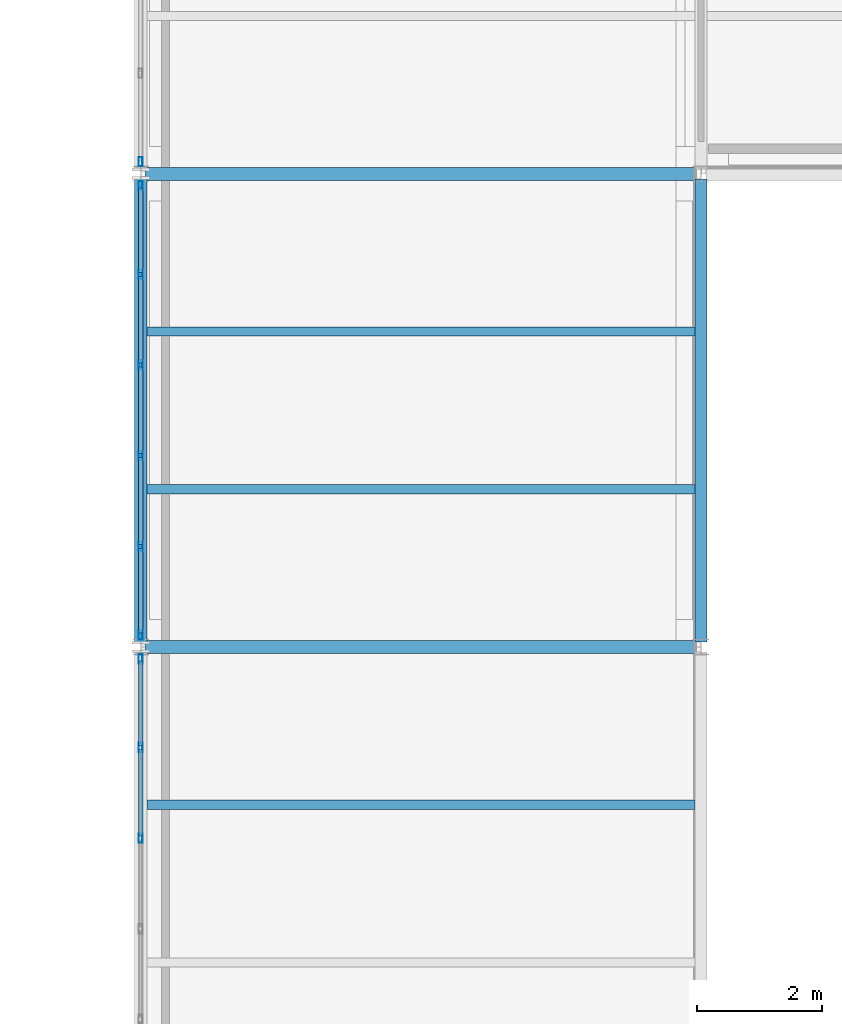
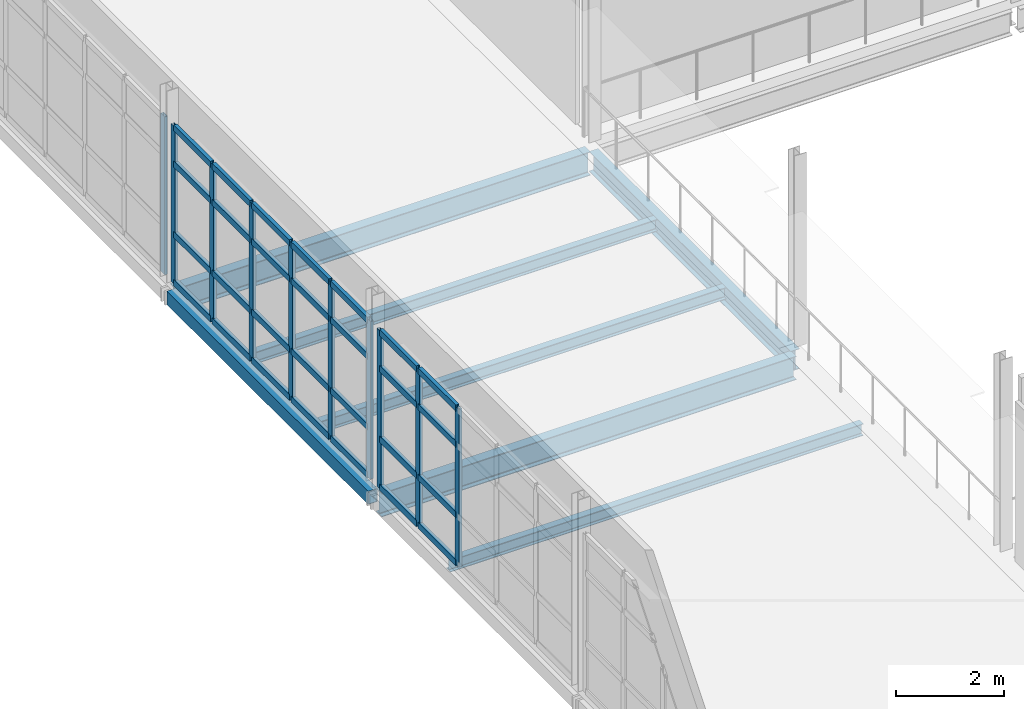
# One storey, part 20 of 48: 38 members, 7 beams, 3 elements without a shape of their own.
"""IFC4 building model written with IfcOpenShell, lengths in metres."""

from ifc_helpers import new_model, si_unit, direction, frame, origin, origin_2d, place, context, subcontext, project, spatial, hollow_rectangle, i_section, extrude, material, material_profile, profile_set, type_object, element, aggregate, save


model = new_model("IFC4")

# Units and contexts
model_context = context("Model", 3, precision=1e-05, world=origin(), true_north=direction((0.0, 1.0)))
body_context = subcontext(model_context, "Body", "Model", "MODEL_VIEW")
ifc_project = project(units=[si_unit("LENGTHUNIT", "METRE"), si_unit("AREAUNIT", "SQUARE_METRE"), si_unit("VOLUMEUNIT", "CUBIC_METRE"), si_unit("PLANEANGLEUNIT", "RADIAN"), si_unit("MASSUNIT", "GRAM", prefix="KILO")], contexts=[model_context])

# Site, building, storey
site_placement = place(None, origin())
site = spatial("IfcSite", under=ifc_project, at=site_placement, CompositionType="ELEMENT")
building_placement = place(site_placement, origin())
building = spatial("IfcBuilding", under=site, at=building_placement, Name="Caisbarro Railhouse Central Library", CompositionType="ELEMENT")
storey_placement = place(building_placement, frame((0.0, 0.0, 18.0)))
storey = spatial("IfcBuildingStorey", under=building, at=storey_placement, Name="L04", CompositionType="ELEMENT", Elevation=18.0)

# Beams
ifc_material_1 = material(Name="Steel ASTM A572 Grade 50", Category="steel")
ifc_material_profile_1 = material_profile(ifc_material_1, i_section(OverallWidth=0.208984375, OverallDepth=0.532958984375, WebThickness=0.01025390625, FlangeThickness=0.015625, FilletRadius=0.02001953125, at=origin_2d()), Name="W530X92.0")
ifc_profile_set_1 = profile_set([ifc_material_profile_1], Name="Steel ASTM A572 Grade 50")
beam_type_1 = type_object("IfcBeamType", Name="BM-G06", PredefinedType="BEAM", material=ifc_profile_set_1)
for number, where, z_axis, x_axis, name in (
    (1, (117.080078125, 83.60009765625, -0.486572265625), (1.0, 0.0, 0.0), (0.0, 1.0, 0.0), "G06 beam L04 #2081"),
    (2, (117.080078125, 91.199951171875, -0.486572265625), (1.0, 0.0, 0.0), (0.0, 1.0, 0.0), "G06 beam L04 #2082"),
):
    element("IfcBeam", number, at=place(storey_placement, frame(where, z_axis=z_axis, x_axis=x_axis)), inside=storey, type_object=beam_type_1, Name=name, PredefinedType="BEAM", context=body_context, shape_type="SweptSolid", body=[
        extrude(i_section(OverallWidth=0.208984375, OverallDepth=0.532958984375, WebThickness=0.01025390625, FlangeThickness=0.015625, FilletRadius=0.02001953125, at=origin_2d()), origin(), (0.0, 0.0, 1.0), 8.83984375),
    ])
ifc_material_profile_2 = material_profile(ifc_material_1, i_section(OverallWidth=0.18994140625, OverallDepth=0.45703125, WebThickness=0.009033203125, FlangeThickness=0.014404296875, FilletRadius=0.01806640625, at=origin_2d()), Name="W460X74.0")
ifc_profile_set_2 = profile_set([ifc_material_profile_2], Name="Steel ASTM A572 Grade 50")
beam_type_2 = type_object("IfcBeamType", Name="BM-G08", PredefinedType="BEAM", material=ifc_profile_set_2)
beam_1_placement = place(storey_placement, frame((126.0, 83.679931640625, -0.448486328125), z_axis=(0.0, 1.0, 0.0), x_axis=(-1.0, 0.0, 0.0)))
element("IfcBeam", 3, at=beam_1_placement, inside=storey, type_object=beam_type_2, Name="G08 beam L04 #2102", PredefinedType="BEAM", context=body_context, shape_type="SweptSolid", body=[
    extrude(i_section(OverallWidth=0.18994140625, OverallDepth=0.45703125, WebThickness=0.009033203125, FlangeThickness=0.014404296875, FilletRadius=0.01806640625, at=origin_2d()), origin(), (0.0, 0.0, 1.0), 7.440185546875),
])
ifc_material_profile_3 = material_profile(ifc_material_1, i_section(OverallWidth=0.14794921875, OverallDepth=0.26611328125, WebThickness=0.007568359375, FlangeThickness=0.012939453125, FilletRadius=0.010009765625, at=origin_2d()), Name="W250X44.8")
ifc_profile_set_3 = profile_set([ifc_material_profile_3], Name="Steel ASTM A572 Grade 50")
beam_type_3 = type_object("IfcBeamType", Name="BM-J04", PredefinedType="JOIST", material=ifc_profile_set_3)
for number, where, z_axis, x_axis, name in (
    (4, (117.10009765625, 81.066650390625, -0.35302734375), (1.0, 0.0, 0.0), (0.0, 1.0, 0.0), "J04 beam L04 #2119"),
    (5, (117.10009765625, 86.13330078125, -0.35302734375), (1.0, 0.0, 0.0), (0.0, 1.0, 0.0), "J04 beam L04 #2120"),
    (6, (117.10009765625, 88.666748046875, -0.35302734375), (1.0, 0.0, 0.0), (0.0, 1.0, 0.0), "J04 beam L04 #2121"),
):
    element("IfcBeam", number, at=place(storey_placement, frame(where, z_axis=z_axis, x_axis=x_axis)), inside=storey, type_object=beam_type_3, Name=name, PredefinedType="JOIST", context=body_context, shape_type="SweptSolid", body=[
        extrude(i_section(OverallWidth=0.14794921875, OverallDepth=0.26611328125, WebThickness=0.007568359375, FlangeThickness=0.012939453125, FilletRadius=0.010009765625, at=origin_2d()), origin(), (0.0, 0.0, 1.0), 8.804931640625),
    ])
ifc_material_profile_4 = material_profile(ifc_material_1, hollow_rectangle(XDim=0.199951171875, YDim=0.300048828125, WallThickness=0.012451171875, at=origin_2d()), Name="HSS300X200X12.5")
ifc_profile_set_4 = profile_set([ifc_material_profile_4], Name="Steel ASTM A572 Grade 50")
beam_type_4 = type_object("IfcBeamType", Name="BM-SP02", PredefinedType="SPANDREL", material=ifc_profile_set_4)
beam_2_placement = place(storey_placement, frame((117.0, 83.679931640625, -0.3701171875), z_axis=(0.0, 1.0, 0.0), x_axis=(-1.0, 0.0, 0.0)))
element("IfcBeam", 7, at=beam_2_placement, inside=storey, type_object=beam_type_4, Name="SP02 beam L04 #2096", PredefinedType="SPANDREL", context=body_context, shape_type="SweptSolid", body=[
    extrude(hollow_rectangle(XDim=0.199951171875, YDim=0.300048828125, WallThickness=0.012451171875, at=origin_2d()), origin(), (0.0, 0.0, 1.0), 7.440185546875),
])

# Curtain wall, members
ifc_material_2 = material(Name="Anodised architectural aluminium", Category="aluminium")
curtain_wall_type = type_object("IfcCurtainWallType", Name="CW-CW02", PredefinedType="NOTDEFINED", material=ifc_material_2)
curtain_wall_1_placement = place(storey_placement, origin())
curtain_wall_1 = element("IfcCurtainWall", 8, at=curtain_wall_1_placement, inside=storey, type_object=curtain_wall_type, Name="CW02 curtain wall L04 #156", PredefinedType="NOTDEFINED")
ifc_material_profile_5 = material_profile(ifc_material_2, hollow_rectangle(XDim=0.06494140625, YDim=0.14990234375, WallThickness=0.00390625, at=origin_2d()), Name="ALU-MUL-65X150")
ifc_profile_set_5 = profile_set([ifc_material_profile_5], Name="Anodised architectural aluminium")
member_type_1 = type_object("IfcMemberType", Name="CWM-M02", PredefinedType="MULLION", material=ifc_profile_set_5)
member_1_placement = place(storey_placement, frame((117.0, 80.528076171875, 0.0), z_axis=(0.0, 0.0, 1.0), x_axis=(-1.0, 0.0, 0.0)))
member_1 = element("IfcMember", 9, at=member_1_placement, type_object=member_type_1, Name="CW02 mullion 4", PredefinedType="MULLION", context=body_context, shape_type="SweptSolid", body=[
    extrude(hollow_rectangle(XDim=0.06494140625, YDim=0.14990234375, WallThickness=0.00390625, at=origin_2d()), origin(), (0.0, 0.0, 1.0), 3.56005859375),
])
member_2_placement = place(storey_placement, frame((117.0, 81.98388671875, 0.0), z_axis=(0.0, 0.0, 1.0), x_axis=(-1.0, 0.0, 0.0)))
member_2 = element("IfcMember", 10, at=member_2_placement, type_object=member_type_1, Name="CW02 mullion 5", PredefinedType="MULLION", context=body_context, shape_type="SweptSolid", body=[
    extrude(hollow_rectangle(XDim=0.06494140625, YDim=0.14990234375, WallThickness=0.00390625, at=origin_2d()), origin(), (0.0, 0.0, 1.0), 3.56005859375),
])
member_3_placement = place(storey_placement, frame((117.0, 83.407470703125, 0.0), z_axis=(0.0, 0.0, 1.0), x_axis=(-1.0, 0.0, 0.0)))
member_3 = element("IfcMember", 11, at=member_3_placement, type_object=member_type_1, Name="CW02 mullion 6", PredefinedType="MULLION", context=body_context, shape_type="SweptSolid", body=[
    extrude(hollow_rectangle(XDim=0.06494140625, YDim=0.14990234375, WallThickness=0.00390625, at=origin_2d()), origin(), (0.0, 0.0, 1.0), 3.56005859375),
])

curtain_wall_2_placement = place(storey_placement, origin())
curtain_wall_2 = element("IfcCurtainWall", 12, at=curtain_wall_2_placement, inside=storey, type_object=curtain_wall_type, Name="CW02 curtain wall L04 #157", PredefinedType="NOTDEFINED")
member_4_placement = place(storey_placement, frame((117.0, 83.79248046875, 0.0), z_axis=(0.0, 0.0, 1.0), x_axis=(-1.0, 0.0, 0.0)))
member_4 = element("IfcMember", 13, at=member_4_placement, type_object=member_type_1, Name="CW02 mullion 1", PredefinedType="MULLION", context=body_context, shape_type="SweptSolid", body=[
    extrude(hollow_rectangle(XDim=0.06494140625, YDim=0.14990234375, WallThickness=0.00390625, at=origin_2d()), origin(), (0.0, 0.0, 1.0), 3.56005859375),
])
member_5_placement = place(storey_placement, frame((117.0, 85.216064453125, 0.0), z_axis=(0.0, 0.0, 1.0), x_axis=(-1.0, 0.0, 0.0)))
member_5 = element("IfcMember", 14, at=member_5_placement, type_object=member_type_1, Name="CW02 mullion 2", PredefinedType="MULLION", context=body_context, shape_type="SweptSolid", body=[
    extrude(hollow_rectangle(XDim=0.06494140625, YDim=0.14990234375, WallThickness=0.00390625, at=origin_2d()), origin(), (0.0, 0.0, 1.0), 3.56005859375),
])
member_6_placement = place(storey_placement, frame((117.0, 86.672119140625, 0.0), z_axis=(0.0, 0.0, 1.0), x_axis=(-1.0, 0.0, 0.0)))
member_6 = element("IfcMember", 15, at=member_6_placement, type_object=member_type_1, Name="CW02 mullion 3", PredefinedType="MULLION", context=body_context, shape_type="SweptSolid", body=[
    extrude(hollow_rectangle(XDim=0.06494140625, YDim=0.14990234375, WallThickness=0.00390625, at=origin_2d()), origin(), (0.0, 0.0, 1.0), 3.56005859375),
])
member_7_placement = place(storey_placement, frame((117.0, 88.1279296875, 0.0), z_axis=(0.0, 0.0, 1.0), x_axis=(-1.0, 0.0, 0.0)))
member_7 = element("IfcMember", 16, at=member_7_placement, type_object=member_type_1, Name="CW02 mullion 4", PredefinedType="MULLION", context=body_context, shape_type="SweptSolid", body=[
    extrude(hollow_rectangle(XDim=0.06494140625, YDim=0.14990234375, WallThickness=0.00390625, at=origin_2d()), origin(), (0.0, 0.0, 1.0), 3.56005859375),
])
member_8_placement = place(storey_placement, frame((117.0, 89.583984375, 0.0), z_axis=(0.0, 0.0, 1.0), x_axis=(-1.0, 0.0, 0.0)))
member_8 = element("IfcMember", 17, at=member_8_placement, type_object=member_type_1, Name="CW02 mullion 5", PredefinedType="MULLION", context=body_context, shape_type="SweptSolid", body=[
    extrude(hollow_rectangle(XDim=0.06494140625, YDim=0.14990234375, WallThickness=0.00390625, at=origin_2d()), origin(), (0.0, 0.0, 1.0), 3.56005859375),
])
member_9_placement = place(storey_placement, frame((117.0, 91.007568359375, 0.0), z_axis=(0.0, 0.0, 1.0), x_axis=(-1.0, 0.0, 0.0)))
member_9 = element("IfcMember", 18, at=member_9_placement, type_object=member_type_1, Name="CW02 mullion 6", PredefinedType="MULLION", context=body_context, shape_type="SweptSolid", body=[
    extrude(hollow_rectangle(XDim=0.06494140625, YDim=0.14990234375, WallThickness=0.00390625, at=origin_2d()), origin(), (0.0, 0.0, 1.0), 3.56005859375),
])

# Curtain wall, member
curtain_wall_3_placement = place(storey_placement, origin())
curtain_wall_3 = element("IfcCurtainWall", 19, at=curtain_wall_3_placement, inside=storey, type_object=curtain_wall_type, Name="CW02 curtain wall L04 #158", PredefinedType="NOTDEFINED")
member_10_placement = place(storey_placement, frame((117.0, 91.392578125, 0.0), z_axis=(0.0, 0.0, 1.0), x_axis=(-1.0, 0.0, 0.0)))
member_10 = element("IfcMember", 20, at=member_10_placement, type_object=member_type_1, Name="CW02 mullion 1", PredefinedType="MULLION", context=body_context, shape_type="SweptSolid", body=[
    extrude(hollow_rectangle(XDim=0.06494140625, YDim=0.14990234375, WallThickness=0.00390625, at=origin_2d()), origin(), (0.0, 0.0, 1.0), 3.56005859375),
])
aggregate(curtain_wall_3, [member_10])

# Member
ifc_material_profile_6 = material_profile(ifc_material_2, hollow_rectangle(XDim=0.074951171875, YDim=0.139892578125, WallThickness=0.00390625, at=origin_2d()), Name="ALU-TRN-75X140")
ifc_profile_set_6 = profile_set([ifc_material_profile_6], Name="Anodised architectural aluminium")
member_type_2 = type_object("IfcMemberType", Name="CWT-T01", PredefinedType="USERDEFINED", material=ifc_profile_set_6)
member_11_placement = place(storey_placement, frame((117.0, 80.560546875, 0.03759765625), z_axis=(0.0, 1.0, 0.0), x_axis=(-1.0, 0.0, 0.0)))
member_11 = element("IfcMember", 21, at=member_11_placement, type_object=member_type_2, Name="CW02 transom 4.1", ObjectType="TRANSOM", PredefinedType="USERDEFINED", context=body_context, shape_type="SweptSolid", body=[
    extrude(hollow_rectangle(XDim=0.074951171875, YDim=0.139892578125, WallThickness=0.00390625, at=origin_2d()), origin(), (0.0, 0.0, 1.0), 1.390869140625),
])

member_12_placement = place(storey_placement, frame((117.0, 80.560546875, 1.1201171875), z_axis=(0.0, 1.0, 0.0), x_axis=(-1.0, 0.0, 0.0)))
member_12 = element("IfcMember", 22, at=member_12_placement, type_object=member_type_2, Name="CW02 transom 4.2", ObjectType="TRANSOM", PredefinedType="USERDEFINED", context=body_context, shape_type="SweptSolid", body=[
    extrude(hollow_rectangle(XDim=0.074951171875, YDim=0.139892578125, WallThickness=0.00390625, at=origin_2d()), origin(), (0.0, 0.0, 1.0), 1.390869140625),
])

member_13_placement = place(storey_placement, frame((117.0, 80.560546875, 2.7099609375), z_axis=(0.0, 1.0, 0.0), x_axis=(-1.0, 0.0, 0.0)))
member_13 = element("IfcMember", 23, at=member_13_placement, type_object=member_type_2, Name="CW02 transom 4.3", ObjectType="TRANSOM", PredefinedType="USERDEFINED", context=body_context, shape_type="SweptSolid", body=[
    extrude(hollow_rectangle(XDim=0.074951171875, YDim=0.139892578125, WallThickness=0.00390625, at=origin_2d()), origin(), (0.0, 0.0, 1.0), 1.390869140625),
])

member_14_placement = place(storey_placement, frame((117.0, 80.560546875, 3.5224609375), z_axis=(0.0, 1.0, 0.0), x_axis=(-1.0, 0.0, 0.0)))
member_14 = element("IfcMember", 24, at=member_14_placement, type_object=member_type_2, Name="CW02 transom 4.4", ObjectType="TRANSOM", PredefinedType="USERDEFINED", context=body_context, shape_type="SweptSolid", body=[
    extrude(hollow_rectangle(XDim=0.074951171875, YDim=0.139892578125, WallThickness=0.00390625, at=origin_2d()), origin(), (0.0, 0.0, 1.0), 1.390869140625),
])

member_15_placement = place(storey_placement, frame((117.0, 82.0166015625, 0.03759765625), z_axis=(0.0, 1.0, 0.0), x_axis=(-1.0, 0.0, 0.0)))
member_15 = element("IfcMember", 25, at=member_15_placement, type_object=member_type_2, Name="CW02 transom 5.1", ObjectType="TRANSOM", PredefinedType="USERDEFINED", context=body_context, shape_type="SweptSolid", body=[
    extrude(hollow_rectangle(XDim=0.074951171875, YDim=0.139892578125, WallThickness=0.00390625, at=origin_2d()), origin(), (0.0, 0.0, 1.0), 1.3583984375),
])

member_16_placement = place(storey_placement, frame((117.0, 82.0166015625, 1.1201171875), z_axis=(0.0, 1.0, 0.0), x_axis=(-1.0, 0.0, 0.0)))
member_16 = element("IfcMember", 26, at=member_16_placement, type_object=member_type_2, Name="CW02 transom 5.2", ObjectType="TRANSOM", PredefinedType="USERDEFINED", context=body_context, shape_type="SweptSolid", body=[
    extrude(hollow_rectangle(XDim=0.074951171875, YDim=0.139892578125, WallThickness=0.00390625, at=origin_2d()), origin(), (0.0, 0.0, 1.0), 1.3583984375),
])

member_17_placement = place(storey_placement, frame((117.0, 82.0166015625, 2.7099609375), z_axis=(0.0, 1.0, 0.0), x_axis=(-1.0, 0.0, 0.0)))
member_17 = element("IfcMember", 27, at=member_17_placement, type_object=member_type_2, Name="CW02 transom 5.3", ObjectType="TRANSOM", PredefinedType="USERDEFINED", context=body_context, shape_type="SweptSolid", body=[
    extrude(hollow_rectangle(XDim=0.074951171875, YDim=0.139892578125, WallThickness=0.00390625, at=origin_2d()), origin(), (0.0, 0.0, 1.0), 1.3583984375),
])

member_18_placement = place(storey_placement, frame((117.0, 82.0166015625, 3.5224609375), z_axis=(0.0, 1.0, 0.0), x_axis=(-1.0, 0.0, 0.0)))
member_18 = element("IfcMember", 28, at=member_18_placement, type_object=member_type_2, Name="CW02 transom 5.4", ObjectType="TRANSOM", PredefinedType="USERDEFINED", context=body_context, shape_type="SweptSolid", body=[
    extrude(hollow_rectangle(XDim=0.074951171875, YDim=0.139892578125, WallThickness=0.00390625, at=origin_2d()), origin(), (0.0, 0.0, 1.0), 1.3583984375),
])

aggregate(curtain_wall_1, [member_1, member_2, member_3, member_11, member_12, member_13, member_14, member_15, member_16, member_17, member_18])

member_19_placement = place(storey_placement, frame((117.0, 83.824951171875, 0.03759765625), z_axis=(0.0, 1.0, 0.0), x_axis=(-1.0, 0.0, 0.0)))
member_19 = element("IfcMember", 29, at=member_19_placement, type_object=member_type_2, Name="CW02 transom 1.1", ObjectType="TRANSOM", PredefinedType="USERDEFINED", context=body_context, shape_type="SweptSolid", body=[
    extrude(hollow_rectangle(XDim=0.074951171875, YDim=0.139892578125, WallThickness=0.00390625, at=origin_2d()), origin(), (0.0, 0.0, 1.0), 1.358642578125),
])

member_20_placement = place(storey_placement, frame((117.0, 83.824951171875, 1.1201171875), z_axis=(0.0, 1.0, 0.0), x_axis=(-1.0, 0.0, 0.0)))
member_20 = element("IfcMember", 30, at=member_20_placement, type_object=member_type_2, Name="CW02 transom 1.2", ObjectType="TRANSOM", PredefinedType="USERDEFINED", context=body_context, shape_type="SweptSolid", body=[
    extrude(hollow_rectangle(XDim=0.074951171875, YDim=0.139892578125, WallThickness=0.00390625, at=origin_2d()), origin(), (0.0, 0.0, 1.0), 1.358642578125),
])

member_21_placement = place(storey_placement, frame((117.0, 83.824951171875, 2.7099609375), z_axis=(0.0, 1.0, 0.0), x_axis=(-1.0, 0.0, 0.0)))
member_21 = element("IfcMember", 31, at=member_21_placement, type_object=member_type_2, Name="CW02 transom 1.3", ObjectType="TRANSOM", PredefinedType="USERDEFINED", context=body_context, shape_type="SweptSolid", body=[
    extrude(hollow_rectangle(XDim=0.074951171875, YDim=0.139892578125, WallThickness=0.00390625, at=origin_2d()), origin(), (0.0, 0.0, 1.0), 1.358642578125),
])

member_22_placement = place(storey_placement, frame((117.0, 83.824951171875, 3.5224609375), z_axis=(0.0, 1.0, 0.0), x_axis=(-1.0, 0.0, 0.0)))
member_22 = element("IfcMember", 32, at=member_22_placement, type_object=member_type_2, Name="CW02 transom 1.4", ObjectType="TRANSOM", PredefinedType="USERDEFINED", context=body_context, shape_type="SweptSolid", body=[
    extrude(hollow_rectangle(XDim=0.074951171875, YDim=0.139892578125, WallThickness=0.00390625, at=origin_2d()), origin(), (0.0, 0.0, 1.0), 1.358642578125),
])

member_23_placement = place(storey_placement, frame((117.0, 85.24853515625, 0.03759765625), z_axis=(0.0, 1.0, 0.0), x_axis=(-1.0, 0.0, 0.0)))
member_23 = element("IfcMember", 33, at=member_23_placement, type_object=member_type_2, Name="CW02 transom 2.1", ObjectType="TRANSOM", PredefinedType="USERDEFINED", context=body_context, shape_type="SweptSolid", body=[
    extrude(hollow_rectangle(XDim=0.074951171875, YDim=0.139892578125, WallThickness=0.00390625, at=origin_2d()), origin(), (0.0, 0.0, 1.0), 1.390869140625),
])

member_24_placement = place(storey_placement, frame((117.0, 85.24853515625, 1.1201171875), z_axis=(0.0, 1.0, 0.0), x_axis=(-1.0, 0.0, 0.0)))
member_24 = element("IfcMember", 34, at=member_24_placement, type_object=member_type_2, Name="CW02 transom 2.2", ObjectType="TRANSOM", PredefinedType="USERDEFINED", context=body_context, shape_type="SweptSolid", body=[
    extrude(hollow_rectangle(XDim=0.074951171875, YDim=0.139892578125, WallThickness=0.00390625, at=origin_2d()), origin(), (0.0, 0.0, 1.0), 1.390869140625),
])

member_25_placement = place(storey_placement, frame((117.0, 85.24853515625, 2.7099609375), z_axis=(0.0, 1.0, 0.0), x_axis=(-1.0, 0.0, 0.0)))
member_25 = element("IfcMember", 35, at=member_25_placement, type_object=member_type_2, Name="CW02 transom 2.3", ObjectType="TRANSOM", PredefinedType="USERDEFINED", context=body_context, shape_type="SweptSolid", body=[
    extrude(hollow_rectangle(XDim=0.074951171875, YDim=0.139892578125, WallThickness=0.00390625, at=origin_2d()), origin(), (0.0, 0.0, 1.0), 1.390869140625),
])

member_26_placement = place(storey_placement, frame((117.0, 85.24853515625, 3.5224609375), z_axis=(0.0, 1.0, 0.0), x_axis=(-1.0, 0.0, 0.0)))
member_26 = element("IfcMember", 36, at=member_26_placement, type_object=member_type_2, Name="CW02 transom 2.4", ObjectType="TRANSOM", PredefinedType="USERDEFINED", context=body_context, shape_type="SweptSolid", body=[
    extrude(hollow_rectangle(XDim=0.074951171875, YDim=0.139892578125, WallThickness=0.00390625, at=origin_2d()), origin(), (0.0, 0.0, 1.0), 1.390869140625),
])

member_27_placement = place(storey_placement, frame((117.0, 86.70458984375, 0.03759765625), z_axis=(0.0, 1.0, 0.0), x_axis=(-1.0, 0.0, 0.0)))
member_27 = element("IfcMember", 37, at=member_27_placement, type_object=member_type_2, Name="CW02 transom 3.1", ObjectType="TRANSOM", PredefinedType="USERDEFINED", context=body_context, shape_type="SweptSolid", body=[
    extrude(hollow_rectangle(XDim=0.074951171875, YDim=0.139892578125, WallThickness=0.00390625, at=origin_2d()), origin(), (0.0, 0.0, 1.0), 1.390869140625),
])

member_28_placement = place(storey_placement, frame((117.0, 86.70458984375, 1.1201171875), z_axis=(0.0, 1.0, 0.0), x_axis=(-1.0, 0.0, 0.0)))
member_28 = element("IfcMember", 38, at=member_28_placement, type_object=member_type_2, Name="CW02 transom 3.2", ObjectType="TRANSOM", PredefinedType="USERDEFINED", context=body_context, shape_type="SweptSolid", body=[
    extrude(hollow_rectangle(XDim=0.074951171875, YDim=0.139892578125, WallThickness=0.00390625, at=origin_2d()), origin(), (0.0, 0.0, 1.0), 1.390869140625),
])

member_29_placement = place(storey_placement, frame((117.0, 86.70458984375, 2.7099609375), z_axis=(0.0, 1.0, 0.0), x_axis=(-1.0, 0.0, 0.0)))
member_29 = element("IfcMember", 39, at=member_29_placement, type_object=member_type_2, Name="CW02 transom 3.3", ObjectType="TRANSOM", PredefinedType="USERDEFINED", context=body_context, shape_type="SweptSolid", body=[
    extrude(hollow_rectangle(XDim=0.074951171875, YDim=0.139892578125, WallThickness=0.00390625, at=origin_2d()), origin(), (0.0, 0.0, 1.0), 1.390869140625),
])

member_30_placement = place(storey_placement, frame((117.0, 86.70458984375, 3.5224609375), z_axis=(0.0, 1.0, 0.0), x_axis=(-1.0, 0.0, 0.0)))
member_30 = element("IfcMember", 40, at=member_30_placement, type_object=member_type_2, Name="CW02 transom 3.4", ObjectType="TRANSOM", PredefinedType="USERDEFINED", context=body_context, shape_type="SweptSolid", body=[
    extrude(hollow_rectangle(XDim=0.074951171875, YDim=0.139892578125, WallThickness=0.00390625, at=origin_2d()), origin(), (0.0, 0.0, 1.0), 1.390869140625),
])

member_31_placement = place(storey_placement, frame((117.0, 88.160400390625, 0.03759765625), z_axis=(0.0, 1.0, 0.0), x_axis=(-1.0, 0.0, 0.0)))
member_31 = element("IfcMember", 41, at=member_31_placement, type_object=member_type_2, Name="CW02 transom 4.1", ObjectType="TRANSOM", PredefinedType="USERDEFINED", context=body_context, shape_type="SweptSolid", body=[
    extrude(hollow_rectangle(XDim=0.074951171875, YDim=0.139892578125, WallThickness=0.00390625, at=origin_2d()), origin(), (0.0, 0.0, 1.0), 1.39111328125),
])

member_32_placement = place(storey_placement, frame((117.0, 88.160400390625, 1.1201171875), z_axis=(0.0, 1.0, 0.0), x_axis=(-1.0, 0.0, 0.0)))
member_32 = element("IfcMember", 42, at=member_32_placement, type_object=member_type_2, Name="CW02 transom 4.2", ObjectType="TRANSOM", PredefinedType="USERDEFINED", context=body_context, shape_type="SweptSolid", body=[
    extrude(hollow_rectangle(XDim=0.074951171875, YDim=0.139892578125, WallThickness=0.00390625, at=origin_2d()), origin(), (0.0, 0.0, 1.0), 1.39111328125),
])

member_33_placement = place(storey_placement, frame((117.0, 88.160400390625, 2.7099609375), z_axis=(0.0, 1.0, 0.0), x_axis=(-1.0, 0.0, 0.0)))
member_33 = element("IfcMember", 43, at=member_33_placement, type_object=member_type_2, Name="CW02 transom 4.3", ObjectType="TRANSOM", PredefinedType="USERDEFINED", context=body_context, shape_type="SweptSolid", body=[
    extrude(hollow_rectangle(XDim=0.074951171875, YDim=0.139892578125, WallThickness=0.00390625, at=origin_2d()), origin(), (0.0, 0.0, 1.0), 1.39111328125),
])

member_34_placement = place(storey_placement, frame((117.0, 88.160400390625, 3.5224609375), z_axis=(0.0, 1.0, 0.0), x_axis=(-1.0, 0.0, 0.0)))
member_34 = element("IfcMember", 44, at=member_34_placement, type_object=member_type_2, Name="CW02 transom 4.4", ObjectType="TRANSOM", PredefinedType="USERDEFINED", context=body_context, shape_type="SweptSolid", body=[
    extrude(hollow_rectangle(XDim=0.074951171875, YDim=0.139892578125, WallThickness=0.00390625, at=origin_2d()), origin(), (0.0, 0.0, 1.0), 1.39111328125),
])

member_35_placement = place(storey_placement, frame((117.0, 89.616455078125, 0.03759765625), z_axis=(0.0, 1.0, 0.0), x_axis=(-1.0, 0.0, 0.0)))
member_35 = element("IfcMember", 45, at=member_35_placement, type_object=member_type_2, Name="CW02 transom 5.1", ObjectType="TRANSOM", PredefinedType="USERDEFINED", context=body_context, shape_type="SweptSolid", body=[
    extrude(hollow_rectangle(XDim=0.074951171875, YDim=0.139892578125, WallThickness=0.00390625, at=origin_2d()), origin(), (0.0, 0.0, 1.0), 1.358642578125),
])

member_36_placement = place(storey_placement, frame((117.0, 89.616455078125, 1.1201171875), z_axis=(0.0, 1.0, 0.0), x_axis=(-1.0, 0.0, 0.0)))
member_36 = element("IfcMember", 46, at=member_36_placement, type_object=member_type_2, Name="CW02 transom 5.2", ObjectType="TRANSOM", PredefinedType="USERDEFINED", context=body_context, shape_type="SweptSolid", body=[
    extrude(hollow_rectangle(XDim=0.074951171875, YDim=0.139892578125, WallThickness=0.00390625, at=origin_2d()), origin(), (0.0, 0.0, 1.0), 1.358642578125),
])

member_37_placement = place(storey_placement, frame((117.0, 89.616455078125, 2.7099609375), z_axis=(0.0, 1.0, 0.0), x_axis=(-1.0, 0.0, 0.0)))
member_37 = element("IfcMember", 47, at=member_37_placement, type_object=member_type_2, Name="CW02 transom 5.3", ObjectType="TRANSOM", PredefinedType="USERDEFINED", context=body_context, shape_type="SweptSolid", body=[
    extrude(hollow_rectangle(XDim=0.074951171875, YDim=0.139892578125, WallThickness=0.00390625, at=origin_2d()), origin(), (0.0, 0.0, 1.0), 1.358642578125),
])

member_38_placement = place(storey_placement, frame((117.0, 89.616455078125, 3.5224609375), z_axis=(0.0, 1.0, 0.0), x_axis=(-1.0, 0.0, 0.0)))
member_38 = element("IfcMember", 48, at=member_38_placement, type_object=member_type_2, Name="CW02 transom 5.4", ObjectType="TRANSOM", PredefinedType="USERDEFINED", context=body_context, shape_type="SweptSolid", body=[
    extrude(hollow_rectangle(XDim=0.074951171875, YDim=0.139892578125, WallThickness=0.00390625, at=origin_2d()), origin(), (0.0, 0.0, 1.0), 1.358642578125),
])

aggregate(curtain_wall_2, [member_4, member_5, member_6, member_7, member_8, member_9, member_19, member_20, member_21, member_22, member_23, member_24, member_25, member_26, member_27, member_28, member_29, member_30, member_31, member_32, member_33, member_34, member_35, member_36, member_37, member_38])

save(model, "model.ifc")
